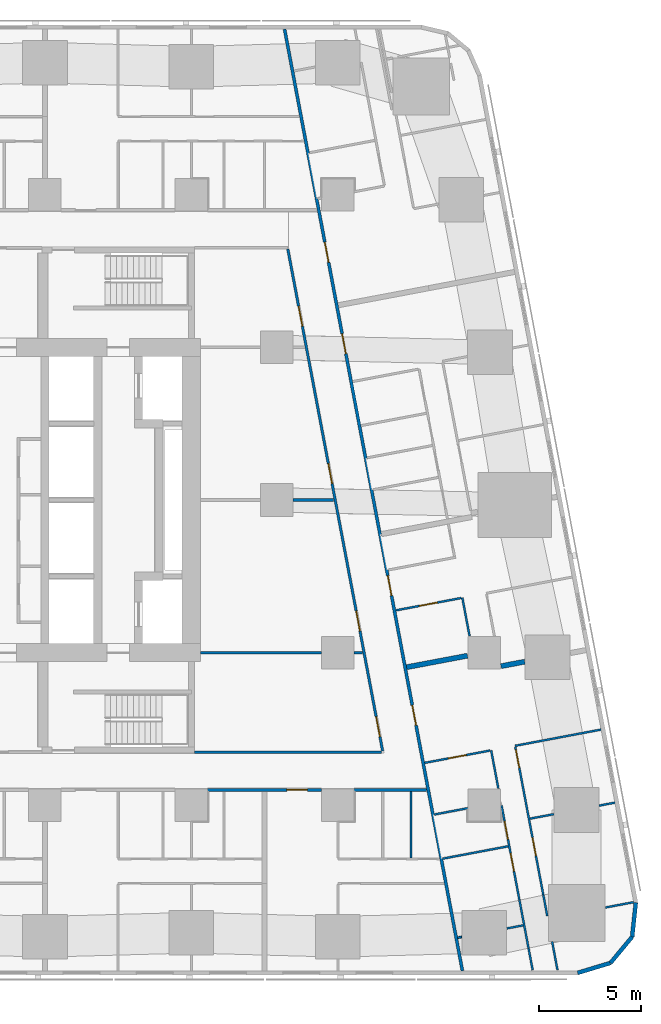
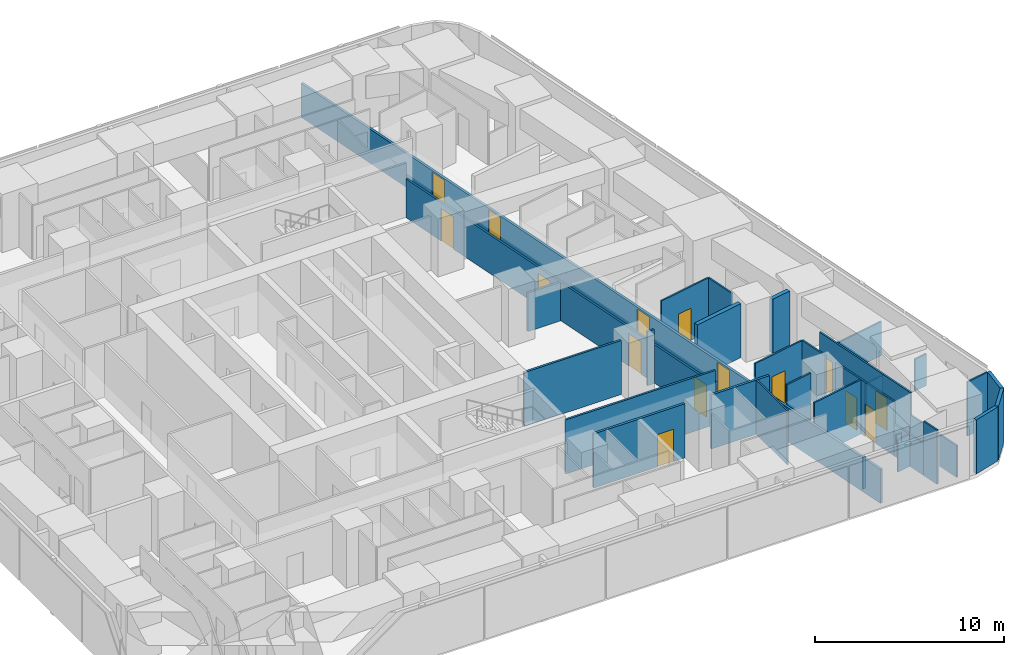
# One storey, part 6 of 15: 32 walls, 15 doors, 15 openings.
"""IFC4 building model written with IfcOpenShell, lengths in metres."""

from ifc_helpers import new_model, si_unit, direction, frame, frame_2d, origin, place, context, subcontext, project, spatial, rectangle, extrude, material, layer, layer_set, type_object, element, fill, save


model = new_model("IFC4")

# Units and contexts
model_context = context("Model", 3, precision=1e-05, world=origin(), true_north=direction((0.0, 1.0)))
body_context = subcontext(model_context, "Body", "Model", "MODEL_VIEW")
ifc_project = project(units=[si_unit("LENGTHUNIT", "METRE"), si_unit("AREAUNIT", "SQUARE_METRE"), si_unit("VOLUMEUNIT", "CUBIC_METRE"), si_unit("PLANEANGLEUNIT", "RADIAN"), si_unit("MASSUNIT", "GRAM", prefix="KILO")], contexts=[model_context])

# Site, building, storey
site_placement = place(None, origin())
site = spatial("IfcSite", under=ifc_project, at=site_placement, CompositionType="ELEMENT")
building_placement = place(site_placement, origin())
building = spatial("IfcBuilding", under=site, at=building_placement, Name="Sheger Commons Tower", CompositionType="ELEMENT")
storey_placement = place(building_placement, frame((0.0, 0.0, 100.39990234375)))
storey = spatial("IfcBuildingStorey", under=building, at=storey_placement, Name="L25", CompositionType="ELEMENT", Elevation=100.39990234375)

# Wall
ifc_material_1 = material(Name="Hollow concrete block masonry, skimmed both sides", Category="masonry")
ifc_layer_1 = layer(ifc_material_1, 0.14990234375)
ifc_layer_set_1 = layer_set([ifc_layer_1], Name="CORRIDOR WALL 150")
wall_type_1 = type_object("IfcWallType", Name="CORRIDOR WALL 150", PredefinedType="SOLIDWALL", material=ifc_layer_set_1)
wall_1_placement = place(storey_placement, frame((40.35595703125, 8.25, 0.0), z_axis=(0.0, 0.0, 1.0), x_axis=(-1.0, 0.0, 0.0)))
element("IfcWall", 1, at=wall_1_placement, inside=storey, type_object=wall_type_1, Name="Corridor wall L25", PredefinedType="SOLIDWALL", context=body_context, shape_type="SweptSolid", body=[
    extrude(rectangle(XDim=3.554931640625, YDim=0.14990234375, at=frame_2d((1.77734375, 0.0))), origin(), (0.0, 0.0, 1.0), 3.5),
])

# Wall, opening, door
wall_2_placement = place(storey_placement, frame((35.198974609375, 8.25, 0.0), z_axis=(0.0, 0.0, 1.0), x_axis=(-1.0, 0.0, 0.0)))
wall_2 = element("IfcWall", 2, at=wall_2_placement, inside=storey, type_object=wall_type_1, Name="Corridor wall L25", PredefinedType="SOLIDWALL", context=body_context, shape_type="SweptSolid", body=[
    extrude(rectangle(XDim=5.597900390625, YDim=0.14990234375, at=frame_2d((2.798828125, 0.0))), origin(), (0.0, 0.0, 1.0), 3.5),
])
opening_1_placement = place(wall_2_placement, frame((0.698974609375, 0.0, 0.0)))
opening_1 = element("IfcOpeningElement", 3, at=opening_1_placement, cuts=wall_2, Name="Opening D1", PredefinedType="OPENING", context=body_context, shape_type="SweptSolid", body=[
    extrude(rectangle(XDim=1.0, YDim=2.10009765625, at=frame_2d((0.5, 1.050048828125))), frame((0.0, 0.0849609375, 0.0), z_axis=(0.0, -1.0, 0.0), x_axis=(1.0, 0.0, 0.0)), (0.0, 0.0, 1.0), 0.169921875),
])
ifc_material_2 = material(Name="Steel door set, fire rated", Category="steel")
door_type_1 = type_object("IfcDoorType", Name="FLAT ENTRANCE DOOR 1000x2100", OperationType="NOTDEFINED", PredefinedType="DOOR", material=ifc_material_2)
door_1_placement = place(opening_1_placement, origin())
door_1 = element("IfcDoor", 4, at=door_1_placement, inside=storey, type_object=door_type_1, Name="Flat entrance door", OperationType="SINGLE_SWING_LEFT", OverallHeight=2.10009765625, OverallWidth=1.0, PredefinedType="DOOR", context=body_context, shape_type="SweptSolid", body=[
    extrude(rectangle(XDim=1.0, YDim=2.10009765625, at=frame_2d((0.5, 1.050048828125))), frame((0.0, 0.02490234375, 0.0), z_axis=(0.0, -1.0, 0.0), x_axis=(1.0, 0.0, 0.0)), (0.0, 0.0, 1.0), 0.050048828125),
])
fill(opening_1, door_1)

# Wall, openings, doors
wall_3_placement = place(storey_placement, frame((33.382080078125, 45.64990234375, 0.0), z_axis=(0.0, 0.0, 1.0), x_axis=(0.185593544777, -0.982626600565, 0.0)))
wall_3 = element("IfcWall", 5, at=wall_3_placement, inside=storey, type_object=wall_type_1, Name="Corridor wall L25", PredefinedType="SOLIDWALL", context=body_context, shape_type="SweptSolid", body=[
    extrude(rectangle(XDim=47.118408203125, YDim=0.14990234375, at=frame_2d((23.55908203125, 0.0))), origin(), (0.0, 0.0, 1.0), 2.2001953125),
])
opening_2_placement = place(wall_3_placement, frame((10.662109375, 0.0, 0.0)))
opening_2 = element("IfcOpeningElement", 6, at=opening_2_placement, cuts=wall_3, Name="Opening D1", PredefinedType="OPENING", context=body_context, shape_type="SweptSolid", body=[
    extrude(rectangle(XDim=1.0, YDim=2.10009765625, at=frame_2d((0.5, 1.050048828125))), frame((0.0, 0.0849609375, 0.0), z_axis=(0.0, -1.0, 0.0), x_axis=(1.0, 0.0, 0.0)), (0.0, 0.0, 1.0), 0.169921875),
])
opening_3_placement = place(wall_3_placement, frame((15.237060546875, 0.0, 0.0)))
opening_3 = element("IfcOpeningElement", 7, at=opening_3_placement, cuts=wall_3, Name="Opening D1", PredefinedType="OPENING", context=body_context, shape_type="SweptSolid", body=[
    extrude(rectangle(XDim=1.0, YDim=2.10009765625, at=frame_2d((0.5, 1.050048828125))), frame((0.0, 0.0849609375, 0.0), z_axis=(0.0, -1.0, 0.0), x_axis=(1.0, 0.0, 0.0)), (0.0, 0.0, 1.0), 0.169921875),
])
opening_4_placement = place(wall_3_placement, frame((27.341064453125, 0.0, 0.0)))
opening_4 = element("IfcOpeningElement", 8, at=opening_4_placement, cuts=wall_3, Name="Opening D1", PredefinedType="OPENING", context=body_context, shape_type="SweptSolid", body=[
    extrude(rectangle(XDim=1.0, YDim=2.10009765625, at=frame_2d((0.5, 1.050048828125))), frame((0.0, 0.0849609375, 0.0), z_axis=(0.0, -1.0, 0.0), x_axis=(1.0, 0.0, 0.0)), (0.0, 0.0, 1.0), 0.169921875),
])
opening_5_placement = place(wall_3_placement, frame((33.8330078125, 0.0, 0.0)))
opening_5 = element("IfcOpeningElement", 9, at=opening_5_placement, cuts=wall_3, Name="Opening D1", PredefinedType="OPENING", context=body_context, shape_type="SweptSolid", body=[
    extrude(rectangle(XDim=1.0, YDim=2.10009765625, at=frame_2d((0.5, 1.050048828125))), frame((0.0, 0.0849609375, 0.0), z_axis=(0.0, -1.0, 0.0), x_axis=(1.0, 0.0, 0.0)), (0.0, 0.0, 1.0), 0.169921875),
])
door_2_placement = place(opening_2_placement, origin())
door_2 = element("IfcDoor", 10, at=door_2_placement, inside=storey, type_object=door_type_1, Name="Flat entrance door", OperationType="SINGLE_SWING_RIGHT", OverallHeight=2.10009765625, OverallWidth=1.0, PredefinedType="DOOR", context=body_context, shape_type="SweptSolid", body=[
    extrude(rectangle(XDim=1.0, YDim=2.10009765625, at=frame_2d((0.5, 1.050048828125))), frame((0.0, 0.02490234375, 0.0), z_axis=(0.0, -1.0, 0.0), x_axis=(1.0, 0.0, 0.0)), (0.0, 0.0, 1.0), 0.050048828125),
])
fill(opening_2, door_2)
door_3_placement = place(opening_3_placement, origin())
door_3 = element("IfcDoor", 11, at=door_3_placement, inside=storey, type_object=door_type_1, Name="Flat entrance door", OperationType="SINGLE_SWING_LEFT", OverallHeight=2.10009765625, OverallWidth=1.0, PredefinedType="DOOR", context=body_context, shape_type="SweptSolid", body=[
    extrude(rectangle(XDim=1.0, YDim=2.10009765625, at=frame_2d((0.5, 1.050048828125))), frame((0.0, 0.02490234375, 0.0), z_axis=(0.0, -1.0, 0.0), x_axis=(1.0, 0.0, 0.0)), (0.0, 0.0, 1.0), 0.050048828125),
])
fill(opening_3, door_3)
door_4_placement = place(opening_4_placement, origin())
door_4 = element("IfcDoor", 12, at=door_4_placement, inside=storey, type_object=door_type_1, Name="Flat entrance door", OperationType="SINGLE_SWING_LEFT", OverallHeight=2.10009765625, OverallWidth=1.0, PredefinedType="DOOR", context=body_context, shape_type="SweptSolid", body=[
    extrude(rectangle(XDim=1.0, YDim=2.10009765625, at=frame_2d((0.5, 1.050048828125))), frame((0.0, 0.02490234375, 0.0), z_axis=(0.0, -1.0, 0.0), x_axis=(1.0, 0.0, 0.0)), (0.0, 0.0, 1.0), 0.050048828125),
])
fill(opening_4, door_4)
door_5_placement = place(opening_5_placement, origin())
door_5 = element("IfcDoor", 13, at=door_5_placement, inside=storey, type_object=door_type_1, Name="Flat entrance door", OperationType="SINGLE_SWING_LEFT", OverallHeight=2.10009765625, OverallWidth=1.0, PredefinedType="DOOR", context=body_context, shape_type="SweptSolid", body=[
    extrude(rectangle(XDim=1.0, YDim=2.10009765625, at=frame_2d((0.5, 1.050048828125))), frame((0.0, 0.02490234375, 0.0), z_axis=(0.0, -1.0, 0.0), x_axis=(1.0, 0.0, 0.0)), (0.0, 0.0, 1.0), 0.050048828125),
])
fill(opening_5, door_5)

# Walls
ifc_material_3 = material(Name="Dense concrete block masonry, plastered both sides (separating wall between flats)", Category="masonry")
ifc_layer_2 = layer(ifc_material_3, 0.25)
ifc_layer_set_2 = layer_set([ifc_layer_2], Name="DEMISING WALL 250")
wall_type_2 = type_object("IfcWallType", Name="DEMISING WALL 250", PredefinedType="SOLIDWALL", material=ifc_layer_set_2)
wall_4_placement = place(storey_placement, frame((45.18994140625, 14.550048828125, 0.0), z_axis=(0.0, 0.0, 1.0), x_axis=(-0.982666604435, -0.185381618634, 0.0)))
element("IfcWall", 14, at=wall_4_placement, inside=storey, type_object=wall_type_2, Name="Demising wall L25", PredefinedType="SOLIDWALL", context=body_context, shape_type="SweptSolid", body=[
    extrude(rectangle(XDim=1.1865234375, YDim=0.25, at=frame_2d((0.59326171875, 0.0))), origin(), (0.0, 0.0, 1.0), 3.5),
])
wall_5_placement = place(storey_placement, frame((42.3759765625, 14.843994140625, 0.0), z_axis=(0.0, 0.0, 1.0), x_axis=(-0.982636286056, -0.185542257522, 0.0)))
element("IfcWall", 15, at=wall_5_placement, inside=storey, type_object=wall_type_2, Name="Demising wall L25", PredefinedType="SOLIDWALL", context=body_context, shape_type="SweptSolid", body=[
    extrude(rectangle(XDim=3.044921875, YDim=0.25, at=frame_2d((1.5224609375, 0.0))), origin(), (0.0, 0.0, 1.0), 3.5),
])
ifc_material_4 = material(Name="Rendered concrete block masonry, dark grey", Category="masonry")
ifc_layer_3 = layer(ifc_material_4, 0.199951171875)
ifc_layer_set_3 = layer_set([ifc_layer_3], Name="FACADE WALL 200")
wall_type_3 = type_object("IfcWallType", Name="FACADE WALL 200", PredefinedType="SOLIDWALL", material=ifc_layer_set_3)
wall_6_placement = place(storey_placement, frame((47.791015625, -0.75, 0.0), z_axis=(0.0, 0.0, 1.0), x_axis=(0.957455232626, 0.288581838509, 0.0)))
element("IfcWall", 16, at=wall_6_placement, inside=storey, type_object=wall_type_3, Name="Facade wall L25", PredefinedType="SOLIDWALL", context=body_context, shape_type="SweptSolid", body=[
    extrude(rectangle(XDim=1.687744140625, YDim=0.199951171875, at=frame_2d((0.84375, 0.0))), origin(), (0.0, 0.0, 1.0), 3.5),
])
wall_7_placement = place(storey_placement, frame((49.406982421875, -0.262939453125, 0.0), z_axis=(0.0, 0.0, 1.0), x_axis=(0.638042593423, 0.770001070764, 0.0)))
element("IfcWall", 17, at=wall_7_placement, inside=storey, type_object=wall_type_3, Name="Facade wall L25", PredefinedType="SOLIDWALL", context=body_context, shape_type="SweptSolid", body=[
    extrude(rectangle(XDim=1.672607421875, YDim=0.199951171875, at=frame_2d((0.83642578125, 0.0))), origin(), (0.0, 0.0, 1.0), 3.5),
])
wall_8_placement = place(storey_placement, frame((50.47412109375, 1.02490234375, 0.0), z_axis=(0.0, 0.0, 1.0), x_axis=(0.106047815515, 0.994361031429, 0.0)))
element("IfcWall", 18, at=wall_8_placement, inside=storey, type_object=wall_type_3, Name="Facade wall L25", PredefinedType="SOLIDWALL", context=body_context, shape_type="SweptSolid", body=[
    extrude(rectangle(XDim=1.6875, YDim=0.199951171875, at=frame_2d((0.84375, 0.0))), origin(), (0.0, 0.0, 1.0), 3.5),
])
ifc_material_5 = material(Name="Gypsum board on steel studs", Category="steel")
ifc_layer_4 = layer(ifc_material_5, 0.10009765625)
ifc_layer_set_4 = layer_set([ifc_layer_4], Name="PARTITION 100")
wall_type_4 = type_object("IfcWallType", Name="PARTITION 100", PredefinedType="PARTITIONING", material=ifc_layer_set_4)
wall_9_placement = place(storey_placement, frame((39.60009765625, 4.89990234375, 0.0), z_axis=(0.0, 0.0, 1.0), x_axis=(0.0, 1.0, 0.0)))
element("IfcWall", 19, at=wall_9_placement, inside=storey, type_object=wall_type_4, Name="Partition L25", PredefinedType="PARTITIONING", context=body_context, shape_type="SweptSolid", body=[
    extrude(rectangle(XDim=3.275146484375, YDim=0.10009765625, at=frame_2d((1.6376953125, 0.0))), origin(), (0.0, 0.0, 1.0), 3.5),
])
wall_10_placement = place(storey_placement, frame((42.123046875, 17.69091796875, 0.0), z_axis=(0.0, 0.0, 1.0), x_axis=(0.185458984533, -0.982652006081, 0.0)))
element("IfcWall", 20, at=wall_10_placement, inside=storey, type_object=wall_type_4, Name="Partition L25", PredefinedType="PARTITIONING", context=body_context, shape_type="SweptSolid", body=[
    extrude(rectangle(XDim=1.9140625, YDim=0.10009765625, at=frame_2d((0.95703125, 0.0))), origin(), (0.0, 0.0, 1.0), 3.5),
])

# Wall, opening, door
wall_11_placement = place(storey_placement, frame((42.073974609375, 17.681884765625, 0.0), z_axis=(0.0, 0.0, 1.0), x_axis=(-0.982620626894, -0.185625169636, 0.0)))
wall_11 = element("IfcWall", 21, at=wall_11_placement, inside=storey, type_object=wall_type_4, Name="Partition L25", PredefinedType="PARTITIONING", context=body_context, shape_type="SweptSolid", body=[
    extrude(rectangle(XDim=3.27490234375, YDim=0.10009765625, at=frame_2d((1.637451171875, 0.0))), origin(), (0.0, 0.0, 1.0), 3.5),
])
opening_6_placement = place(wall_11_placement, frame((1.200927734375, 0.0, 0.0)))
opening_6 = element("IfcOpeningElement", 22, at=opening_6_placement, cuts=wall_11, Name="Opening D2", PredefinedType="OPENING", context=body_context, shape_type="SweptSolid", body=[
    extrude(rectangle(XDim=0.89990234375, YDim=2.10009765625, at=frame_2d((0.449951171875, 1.050048828125))), frame((0.0, 0.06005859375, 0.0), z_axis=(0.0, -1.0, 0.0), x_axis=(1.0, 0.0, 0.0)), (0.0, 0.0, 1.0), 0.1201171875),
])
ifc_material_6 = material(Name="Timber door set", Category="wood")
door_type_2 = type_object("IfcDoorType", Name="INTERNAL DOOR 900x2100", OperationType="NOTDEFINED", PredefinedType="DOOR", material=ifc_material_6)
door_6_placement = place(opening_6_placement, origin())
door_6 = element("IfcDoor", 23, at=door_6_placement, inside=storey, type_object=door_type_2, Name="Store door", OperationType="SINGLE_SWING_RIGHT", OverallHeight=2.10009765625, OverallWidth=0.89990234375, PredefinedType="DOOR", context=body_context, shape_type="SweptSolid", body=[
    extrude(rectangle(XDim=0.89990234375, YDim=2.10009765625, at=frame_2d((0.449951171875, 1.050048828125))), frame((0.0, 0.02490234375, 0.0), z_axis=(0.0, -1.0, 0.0), x_axis=(1.0, 0.0, 0.0)), (0.0, 0.0, 1.0), 0.050048828125),
])
fill(opening_6, door_6)

# Wall, openings, doors
wall_12_placement = place(storey_placement, frame((44.72705078125, 10.365966796875, 0.0), z_axis=(0.0, 0.0, 1.0), x_axis=(0.185678775129, -0.982610498858, 0.0)))
wall_12 = element("IfcWall", 24, at=wall_12_placement, inside=storey, type_object=wall_type_4, Name="Partition L25", PredefinedType="PARTITIONING", context=body_context, shape_type="SweptSolid", body=[
    extrude(rectangle(XDim=7.421142578125, YDim=0.10009765625, at=frame_2d((3.71044921875, 0.0))), origin(), (0.0, 0.0, 1.0), 3.5),
])
opening_7_placement = place(wall_12_placement, frame((0.15087890625, 0.0, 0.0)))
opening_7 = element("IfcOpeningElement", 25, at=opening_7_placement, cuts=wall_12, Name="Opening D2", PredefinedType="OPENING", context=body_context, shape_type="SweptSolid", body=[
    extrude(rectangle(XDim=0.89990234375, YDim=2.10009765625, at=frame_2d((0.449951171875, 1.050048828125))), frame((0.0, 0.06005859375, 0.0), z_axis=(0.0, -1.0, 0.0), x_axis=(1.0, 0.0, 0.0)), (0.0, 0.0, 1.0), 0.1201171875),
])
opening_8_placement = place(wall_12_placement, frame((4.550048828125, 0.0, 0.0)))
opening_8 = element("IfcOpeningElement", 26, at=opening_8_placement, cuts=wall_12, Name="Opening D2", PredefinedType="OPENING", context=body_context, shape_type="SweptSolid", body=[
    extrude(rectangle(XDim=0.89990234375, YDim=2.10009765625, at=frame_2d((0.449951171875, 1.050048828125))), frame((0.0, 0.06005859375, 0.0), z_axis=(0.0, -1.0, 0.0), x_axis=(1.0, 0.0, 0.0)), (0.0, 0.0, 1.0), 0.1201171875),
])
door_7_placement = place(opening_7_placement, origin())
door_7 = element("IfcDoor", 27, at=door_7_placement, inside=storey, type_object=door_type_2, Name="Main bedroom door", OperationType="SINGLE_SWING_LEFT", OverallHeight=2.10009765625, OverallWidth=0.89990234375, PredefinedType="DOOR", context=body_context, shape_type="SweptSolid", body=[
    extrude(rectangle(XDim=0.89990234375, YDim=2.10009765625, at=frame_2d((0.449951171875, 1.050048828125))), frame((0.0, 0.02490234375, 0.0), z_axis=(0.0, -1.0, 0.0), x_axis=(1.0, 0.0, 0.0)), (0.0, 0.0, 1.0), 0.050048828125),
])
fill(opening_7, door_7)
door_8_placement = place(opening_8_placement, origin())
door_8 = element("IfcDoor", 28, at=door_8_placement, inside=storey, type_object=door_type_2, Name="Bedroom 2 door", OperationType="SINGLE_SWING_LEFT", OverallHeight=2.10009765625, OverallWidth=0.89990234375, PredefinedType="DOOR", context=body_context, shape_type="SweptSolid", body=[
    extrude(rectangle(XDim=0.89990234375, YDim=2.10009765625, at=frame_2d((0.449951171875, 1.050048828125))), frame((0.0, 0.02490234375, 0.0), z_axis=(0.0, -1.0, 0.0), x_axis=(1.0, 0.0, 0.0)), (0.0, 0.0, 1.0), 0.050048828125),
])
fill(opening_8, door_8)

# Walls
wall_13_placement = place(storey_placement, frame((46.10498046875, 3.073974609375, 0.0), z_axis=(0.0, 0.0, 1.0), x_axis=(0.185897769544, -0.982569091351, 0.0)))
element("IfcWall", 29, at=wall_13_placement, inside=storey, type_object=wall_type_4, Name="Partition L25", PredefinedType="PARTITIONING", context=body_context, shape_type="SweptSolid", body=[
    extrude(rectangle(XDim=1.044189453125, YDim=0.10009765625, at=frame_2d((0.52197265625, 0.0))), origin(), (0.0, 0.0, 1.0), 2.050048828125),
])
wall_14_placement = place(storey_placement, frame((46.537109375, 0.787109375, 0.0), z_axis=(0.0, 0.0, 1.0), x_axis=(0.185348284603, -0.982672892368, 0.0)))
element("IfcWall", 30, at=wall_14_placement, inside=storey, type_object=wall_type_4, Name="Partition L25", PredefinedType="PARTITIONING", context=body_context, shape_type="SweptSolid", body=[
    extrude(rectangle(XDim=1.418701171875, YDim=0.10009765625, at=frame_2d((0.70947265625, 0.0))), origin(), (0.0, 0.0, 1.0), 2.050048828125),
])
wall_15_placement = place(storey_placement, frame((43.5390625, 10.19189453125, 0.0), z_axis=(0.0, 0.0, 1.0), x_axis=(0.185366049966, -0.982669541362, 0.0)))
element("IfcWall", 31, at=wall_15_placement, inside=storey, type_object=wall_type_4, Name="Partition L25", PredefinedType="PARTITIONING", context=body_context, shape_type="SweptSolid", body=[
    extrude(rectangle(XDim=1.9150390625, YDim=0.10009765625, at=frame_2d((0.95751953125, 0.0))), origin(), (0.0, 0.0, 1.0), 3.5),
])

# Wall, openings, doors
wall_16_placement = place(storey_placement, frame((44.049072265625, 7.489990234375, 0.0), z_axis=(0.0, 0.0, 1.0), x_axis=(0.185666332607, -0.982612849975, 0.0)))
wall_16 = element("IfcWall", 32, at=wall_16_placement, inside=storey, type_object=wall_type_4, Name="Partition L25", PredefinedType="PARTITIONING", context=body_context, shape_type="SweptSolid", body=[
    extrude(rectangle(XDim=4.74951171875, YDim=0.10009765625, at=frame_2d((2.374755859375, 0.0))), origin(), (0.0, 0.0, 1.0), 3.5),
])
opening_9_placement = place(wall_16_placement, frame((0.800048828125, 0.0, 0.0)))
opening_9 = element("IfcOpeningElement", 33, at=opening_9_placement, cuts=wall_16, Name="Opening D2", PredefinedType="OPENING", context=body_context, shape_type="SweptSolid", body=[
    extrude(rectangle(XDim=0.89990234375, YDim=2.10009765625, at=frame_2d((0.449951171875, 1.050048828125))), frame((0.0, 0.06005859375, 0.0), z_axis=(0.0, -1.0, 0.0), x_axis=(1.0, 0.0, 0.0)), (0.0, 0.0, 1.0), 0.1201171875),
])
opening_10_placement = place(wall_16_placement, frame((2.39599609375, 0.0, 0.0)))
opening_10 = element("IfcOpeningElement", 34, at=opening_10_placement, cuts=wall_16, Name="Opening D2", PredefinedType="OPENING", context=body_context, shape_type="SweptSolid", body=[
    extrude(rectangle(XDim=0.89990234375, YDim=2.10009765625, at=frame_2d((0.449951171875, 1.050048828125))), frame((0.0, 0.06005859375, 0.0), z_axis=(0.0, -1.0, 0.0), x_axis=(1.0, 0.0, 0.0)), (0.0, 0.0, 1.0), 0.1201171875),
])
door_9_placement = place(opening_9_placement, origin())
door_9 = element("IfcDoor", 35, at=door_9_placement, inside=storey, type_object=door_type_2, Name="Bathroom door", OperationType="SINGLE_SWING_LEFT", OverallHeight=2.10009765625, OverallWidth=0.89990234375, PredefinedType="DOOR", context=body_context, shape_type="SweptSolid", body=[
    extrude(rectangle(XDim=0.89990234375, YDim=2.10009765625, at=frame_2d((0.449951171875, 1.050048828125))), frame((0.0, 0.02490234375, 0.0), z_axis=(0.0, -1.0, 0.0), x_axis=(1.0, 0.0, 0.0)), (0.0, 0.0, 1.0), 0.050048828125),
])
fill(opening_9, door_9)
door_10_placement = place(opening_10_placement, origin())
door_10 = element("IfcDoor", 36, at=door_10_placement, inside=storey, type_object=door_type_2, Name="Store door", OperationType="SINGLE_SWING_RIGHT", OverallHeight=2.10009765625, OverallWidth=0.89990234375, PredefinedType="DOOR", context=body_context, shape_type="SweptSolid", body=[
    extrude(rectangle(XDim=0.89990234375, YDim=2.10009765625, at=frame_2d((0.449951171875, 1.050048828125))), frame((0.0, 0.02490234375, 0.0), z_axis=(0.0, -1.0, 0.0), x_axis=(1.0, 0.0, 0.0)), (0.0, 0.0, 1.0), 0.050048828125),
])
fill(opening_10, door_10)

# Walls
wall_17_placement = place(storey_placement, frame((44.930908203125, 2.822998046875, 0.0), z_axis=(0.0, 0.0, 1.0), x_axis=(0.185631845838, -0.982619365681, 0.0)))
element("IfcWall", 37, at=wall_17_placement, inside=storey, type_object=wall_type_4, Name="Partition L25", PredefinedType="PARTITIONING", context=body_context, shape_type="SweptSolid", body=[
    extrude(rectangle(XDim=2.40283203125, YDim=0.10009765625, at=frame_2d((1.201416015625, 0.0))), origin(), (0.0, 0.0, 1.0), 2.050048828125),
])
wall_18_placement = place(storey_placement, frame((45.376953125, 0.4619140625, 0.0), z_axis=(0.0, 0.0, 1.0), x_axis=(0.185513480919, -0.982641719243, 0.0)))
element("IfcWall", 38, at=wall_18_placement, inside=storey, type_object=wall_type_4, Name="Partition L25", PredefinedType="PARTITIONING", context=body_context, shape_type="SweptSolid", body=[
    extrude(rectangle(XDim=1.094970703125, YDim=0.10009765625, at=frame_2d((0.54736328125, 0.0))), origin(), (0.0, 0.0, 1.0), 3.5),
])
wall_19_placement = place(storey_placement, frame((48.943115234375, 11.212890625, 0.0), z_axis=(0.0, 0.0, 1.0), x_axis=(-0.982633535512, -0.185556823879, 0.0)))
element("IfcWall", 39, at=wall_19_placement, inside=storey, type_object=wall_type_4, Name="Partition L25", PredefinedType="PARTITIONING", context=body_context, shape_type="SweptSolid", body=[
    extrude(rectangle(XDim=4.2998046875, YDim=0.10009765625, at=frame_2d((2.14990234375, 0.0))), origin(), (0.0, 0.0, 1.0), 2.2001953125),
])
wall_20_placement = place(storey_placement, frame((49.6220703125, 7.6201171875, 0.0), z_axis=(0.0, 0.0, 1.0), x_axis=(-0.982512656401, -0.186195810938, 0.0)))
element("IfcWall", 40, at=wall_20_placement, inside=storey, type_object=wall_type_4, Name="Partition L25", PredefinedType="PARTITIONING", context=body_context, shape_type="SweptSolid", body=[
    extrude(rectangle(XDim=0.7958984375, YDim=0.10009765625, at=frame_2d((0.39794921875, 0.0))), origin(), (0.0, 0.0, 1.0), 2.050048828125),
])
wall_21_placement = place(storey_placement, frame((46.6201171875, 7.052978515625, 0.0), z_axis=(0.0, 0.0, 1.0), x_axis=(-0.982749355621, -0.18494243436, 0.0)))
element("IfcWall", 41, at=wall_21_placement, inside=storey, type_object=wall_type_4, Name="Partition L25", PredefinedType="PARTITIONING", context=body_context, shape_type="SweptSolid", body=[
    extrude(rectangle(XDim=1.194580078125, YDim=0.10009765625, at=frame_2d((0.59716796875, 0.0))), origin(), (0.0, 0.0, 1.0), 2.050048828125),
])
wall_22_placement = place(storey_placement, frame((50.547119140625, 2.72607421875, 0.0), z_axis=(0.0, 0.0, 1.0), x_axis=(-0.982680053146, -0.185310315822, 0.0)))
element("IfcWall", 42, at=wall_22_placement, inside=storey, type_object=wall_type_4, Name="Partition L25", PredefinedType="PARTITIONING", context=body_context, shape_type="SweptSolid", body=[
    extrude(rectangle(XDim=1.41357421875, YDim=0.10009765625, at=frame_2d((0.706787109375, 0.0))), origin(), (0.0, 0.0, 1.0), 3.5),
])

# Wall, opening, door
wall_23_placement = place(storey_placement, frame((43.489990234375, 10.18310546875, 0.0), z_axis=(0.0, 0.0, 1.0), x_axis=(-0.982607026909, -0.185697147715, 0.0)))
wall_23 = element("IfcWall", 43, at=wall_23_placement, inside=storey, type_object=wall_type_4, Name="Partition L25", PredefinedType="PARTITIONING", context=body_context, shape_type="SweptSolid", body=[
    extrude(rectangle(XDim=3.27490234375, YDim=0.10009765625, at=frame_2d((1.637451171875, 0.0))), origin(), (0.0, 0.0, 1.0), 3.5),
])
opening_11_placement = place(wall_23_placement, frame((1.199951171875, 0.0, 0.0)))
opening_11 = element("IfcOpeningElement", 44, at=opening_11_placement, cuts=wall_23, Name="Opening D2", PredefinedType="OPENING", context=body_context, shape_type="SweptSolid", body=[
    extrude(rectangle(XDim=0.89990234375, YDim=2.10009765625, at=frame_2d((0.449951171875, 1.050048828125))), frame((0.0, 0.06005859375, 0.0), z_axis=(0.0, -1.0, 0.0), x_axis=(1.0, 0.0, 0.0)), (0.0, 0.0, 1.0), 0.1201171875),
])
door_11_placement = place(opening_11_placement, origin())
door_11 = element("IfcDoor", 45, at=door_11_placement, inside=storey, type_object=door_type_2, Name="Store door", OperationType="SINGLE_SWING_RIGHT", OverallHeight=2.10009765625, OverallWidth=0.89990234375, PredefinedType="DOOR", context=body_context, shape_type="SweptSolid", body=[
    extrude(rectangle(XDim=0.89990234375, YDim=2.10009765625, at=frame_2d((0.449951171875, 1.050048828125))), frame((0.0, 0.02490234375, 0.0), z_axis=(0.0, -1.0, 0.0), x_axis=(1.0, 0.0, 0.0)), (0.0, 0.0, 1.0), 0.050048828125),
])
fill(opening_11, door_11)

# Walls
wall_24_placement = place(storey_placement, frame((42.389892578125, 7.347900390625, 0.0), z_axis=(0.0, 0.0, 1.0), x_axis=(-0.9825976927, -0.185746532405, 0.0)))
element("IfcWall", 46, at=wall_24_placement, inside=storey, type_object=wall_type_4, Name="Partition L25", PredefinedType="PARTITIONING", context=body_context, shape_type="SweptSolid", body=[
    extrude(rectangle(XDim=1.66796875, YDim=0.10009765625, at=frame_2d((0.833984375, 0.0))), origin(), (0.0, 0.0, 1.0), 3.5),
])
wall_25_placement = place(storey_placement, frame((45.114013671875, 1.5869140625, 0.0), z_axis=(0.0, 0.0, 1.0), x_axis=(-0.982624706348, -0.185603573443, 0.0)))
element("IfcWall", 47, at=wall_25_placement, inside=storey, type_object=wall_type_4, Name="Partition L25", PredefinedType="PARTITIONING", context=body_context, shape_type="SweptSolid", body=[
    extrude(rectangle(XDim=0.818115234375, YDim=0.10009765625, at=frame_2d((0.4091796875, 0.0))), origin(), (0.0, 0.0, 1.0), 2.050048828125),
])
wall_26_placement = place(storey_placement, frame((42.090087890625, 1.01611328125, 0.0), z_axis=(0.0, 0.0, 1.0), x_axis=(-0.982208563973, -0.187793335502, 0.0)))
element("IfcWall", 48, at=wall_26_placement, inside=storey, type_object=wall_type_4, Name="Partition L25", PredefinedType="PARTITIONING", context=body_context, shape_type="SweptSolid", body=[
    extrude(rectangle(XDim=0.197509765625, YDim=0.10009765625, at=frame_2d((0.0986328125, 0.0))), origin(), (0.0, 0.0, 1.0), 2.050048828125),
])
wall_27_placement = place(storey_placement, frame((44.37890625, 5.47412109375, 0.0), z_axis=(0.0, 0.0, 1.0), x_axis=(-0.982607026909, -0.185697147715, 0.0)))
element("IfcWall", 49, at=wall_27_placement, inside=storey, type_object=wall_type_4, Name="Partition L25", PredefinedType="PARTITIONING", context=body_context, shape_type="SweptSolid", body=[
    extrude(rectangle(XDim=3.27490234375, YDim=0.10009765625, at=frame_2d((1.637451171875, 0.0))), origin(), (0.0, 0.0, 1.0), 3.5),
])
ifc_material_7 = material(Name="Gypsum board on steel studs, two layers each side, fire rated", Category="steel")
ifc_layer_5 = layer(ifc_material_7, 0.125)
ifc_layer_set_5 = layer_set([ifc_layer_5], Name="SERVICE WALL 125")
wall_type_5 = type_object("IfcWallType", Name="SERVICE WALL 125", PredefinedType="PARTITIONING", material=ifc_layer_set_5)
wall_28_placement = place(storey_placement, frame((28.949951171875, 10.10009765625, 0.0), z_axis=(0.0, 0.0, 1.0), x_axis=(1.0, 0.0, 0.0)))
element("IfcWall", 50, at=wall_28_placement, inside=storey, type_object=wall_type_5, Name="Service room wall L25", PredefinedType="PARTITIONING", context=body_context, shape_type="SweptSolid", body=[
    extrude(rectangle(XDim=9.18798828125, YDim=0.125, at=frame_2d((4.593994140625, 0.0))), origin(), (0.0, 0.0, 1.0), 3.5),
])

# Wall, openings, doors
wall_29_placement = place(storey_placement, frame((38.201904296875, 10.1630859375, 0.0), z_axis=(0.0, 0.0, 1.0), x_axis=(-0.185610321132, 0.982623431783, 0.0)))
wall_29 = element("IfcWall", 51, at=wall_29_placement, inside=storey, type_object=wall_type_5, Name="Service room wall L25", PredefinedType="PARTITIONING", context=body_context, shape_type="SweptSolid", body=[
    extrude(rectangle(XDim=25.111083984375, YDim=0.125, at=frame_2d((12.5556640625, 0.0))), origin(), (0.0, 0.0, 1.0), 2.5),
])
opening_12_placement = place(wall_29_placement, frame((0.7080078125, 0.0, 0.0)))
opening_12 = element("IfcOpeningElement", 52, at=opening_12_placement, cuts=wall_29, Name="Opening D4", PredefinedType="OPENING", context=body_context, shape_type="SweptSolid", body=[
    extrude(rectangle(XDim=1.0, YDim=2.10009765625, at=frame_2d((0.5, 1.050048828125))), frame((0.0, 0.072509765625, 0.0), z_axis=(0.0, -1.0, 0.0), x_axis=(1.0, 0.0, 0.0)), (0.0, 0.0, 1.0), 0.14501953125),
])
opening_13_placement = place(wall_29_placement, frame((6.0, 0.0, 0.0)))
opening_13 = element("IfcOpeningElement", 53, at=opening_13_placement, cuts=wall_29, Name="Opening D4", PredefinedType="OPENING", context=body_context, shape_type="SweptSolid", body=[
    extrude(rectangle(XDim=1.0, YDim=2.10009765625, at=frame_2d((0.5, 1.050048828125))), frame((0.0, 0.072509765625, 0.0), z_axis=(0.0, -1.0, 0.0), x_axis=(1.0, 0.0, 0.0)), (0.0, 0.0, 1.0), 0.14501953125),
])
opening_14_placement = place(wall_29_placement, frame((13.3779296875, 0.0, 0.0)))
opening_14 = element("IfcOpeningElement", 54, at=opening_14_placement, cuts=wall_29, Name="Opening D4", PredefinedType="OPENING", context=body_context, shape_type="SweptSolid", body=[
    extrude(rectangle(XDim=1.0, YDim=2.10009765625, at=frame_2d((0.5, 1.050048828125))), frame((0.0, 0.072509765625, 0.0), z_axis=(0.0, -1.0, 0.0), x_axis=(1.0, 0.0, 0.0)), (0.0, 0.0, 1.0), 0.14501953125),
])
opening_15_placement = place(wall_29_placement, frame((21.25, 0.0, 0.0)))
opening_15 = element("IfcOpeningElement", 55, at=opening_15_placement, cuts=wall_29, Name="Opening D4", PredefinedType="OPENING", context=body_context, shape_type="SweptSolid", body=[
    extrude(rectangle(XDim=1.0, YDim=2.10009765625, at=frame_2d((0.5, 1.050048828125))), frame((0.0, 0.072509765625, 0.0), z_axis=(0.0, -1.0, 0.0), x_axis=(1.0, 0.0, 0.0)), (0.0, 0.0, 1.0), 0.14501953125),
])
ifc_material_8 = material(Name="Steel door set, fire rated", Category="steel")
door_type_3 = type_object("IfcDoorType", Name="SERVICE DOOR 1000x2100", OperationType="NOTDEFINED", PredefinedType="DOOR", material=ifc_material_8)
door_12_placement = place(opening_12_placement, origin())
door_12 = element("IfcDoor", 56, at=door_12_placement, inside=storey, type_object=door_type_3, Name="Residents' study room door", OperationType="SINGLE_SWING_LEFT", OverallHeight=2.10009765625, OverallWidth=1.0, PredefinedType="DOOR", context=body_context, shape_type="SweptSolid", body=[
    extrude(rectangle(XDim=1.0, YDim=2.10009765625, at=frame_2d((0.5, 1.050048828125))), frame((0.0, 0.02490234375, 0.0), z_axis=(0.0, -1.0, 0.0), x_axis=(1.0, 0.0, 0.0)), (0.0, 0.0, 1.0), 0.050048828125),
])
fill(opening_12, door_12)
door_13_placement = place(opening_13_placement, origin())
door_13 = element("IfcDoor", 57, at=door_13_placement, inside=storey, type_object=door_type_3, Name="Bicycle and pram store door", OperationType="SINGLE_SWING_LEFT", OverallHeight=2.10009765625, OverallWidth=1.0, PredefinedType="DOOR", context=body_context, shape_type="SweptSolid", body=[
    extrude(rectangle(XDim=1.0, YDim=2.10009765625, at=frame_2d((0.5, 1.050048828125))), frame((0.0, 0.02490234375, 0.0), z_axis=(0.0, -1.0, 0.0), x_axis=(1.0, 0.0, 0.0)), (0.0, 0.0, 1.0), 0.050048828125),
])
fill(opening_13, door_13)
door_14_placement = place(opening_14_placement, origin())
door_14 = element("IfcDoor", 58, at=door_14_placement, inside=storey, type_object=door_type_3, Name="Residents' store door", OperationType="SINGLE_SWING_LEFT", OverallHeight=2.10009765625, OverallWidth=1.0, PredefinedType="DOOR", context=body_context, shape_type="SweptSolid", body=[
    extrude(rectangle(XDim=1.0, YDim=2.10009765625, at=frame_2d((0.5, 1.050048828125))), frame((0.0, 0.02490234375, 0.0), z_axis=(0.0, -1.0, 0.0), x_axis=(1.0, 0.0, 0.0)), (0.0, 0.0, 1.0), 0.050048828125),
])
fill(opening_14, door_14)
door_15_placement = place(opening_15_placement, origin())
door_15 = element("IfcDoor", 59, at=door_15_placement, inside=storey, type_object=door_type_3, Name="Residents' meeting room door", OperationType="SINGLE_SWING_LEFT", OverallHeight=2.10009765625, OverallWidth=1.0, PredefinedType="DOOR", context=body_context, shape_type="SweptSolid", body=[
    extrude(rectangle(XDim=1.0, YDim=2.10009765625, at=frame_2d((0.5, 1.050048828125))), frame((0.0, 0.02490234375, 0.0), z_axis=(0.0, -1.0, 0.0), x_axis=(1.0, 0.0, 0.0)), (0.0, 0.0, 1.0), 0.050048828125),
])
fill(opening_15, door_15)

# Walls
wall_30_placement = place(storey_placement, frame((29.25, 15.0, 0.0), z_axis=(0.0, 0.0, 1.0), x_axis=(1.0, 0.0, 0.0)))
element("IfcWall", 60, at=wall_30_placement, inside=storey, type_object=wall_type_5, Name="Service room wall L25", PredefinedType="PARTITIONING", context=body_context, shape_type="SweptSolid", body=[
    extrude(rectangle(XDim=5.948974609375, YDim=0.125, at=frame_2d((2.974609375, 0.0))), origin(), (0.0, 0.0, 1.0), 3.5),
])
wall_31_placement = place(storey_placement, frame((36.801025390625, 15.0, 0.0), z_axis=(0.0, 0.0, 1.0), x_axis=(1.0, 0.0, 0.0)))
element("IfcWall", 61, at=wall_31_placement, inside=storey, type_object=wall_type_5, Name="Service room wall L25", PredefinedType="PARTITIONING", context=body_context, shape_type="SweptSolid", body=[
    extrude(rectangle(XDim=0.411865234375, YDim=0.125, at=frame_2d((0.2060546875, 0.0))), origin(), (0.0, 0.0, 1.0), 3.5),
])
wall_32_placement = place(storey_placement, frame((33.801025390625, 22.5, 0.0), z_axis=(0.0, 0.0, 1.0), x_axis=(1.0, 0.0, 0.0)))
element("IfcWall", 62, at=wall_32_placement, inside=storey, type_object=wall_type_5, Name="Service room wall L25", PredefinedType="PARTITIONING", context=body_context, shape_type="SweptSolid", body=[
    extrude(rectangle(XDim=1.994873046875, YDim=0.125, at=frame_2d((0.99755859375, 0.0))), origin(), (0.0, 0.0, 1.0), 2.5),
])

save(model, "model.ifc")
